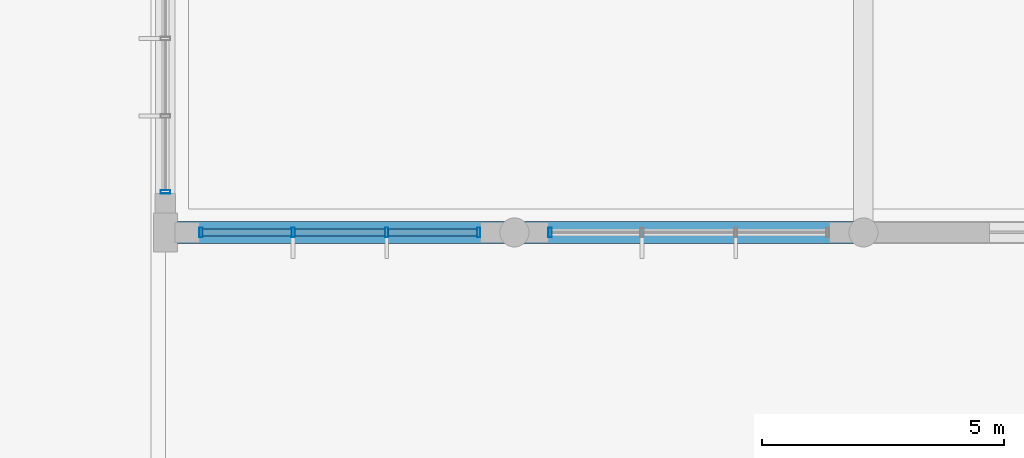
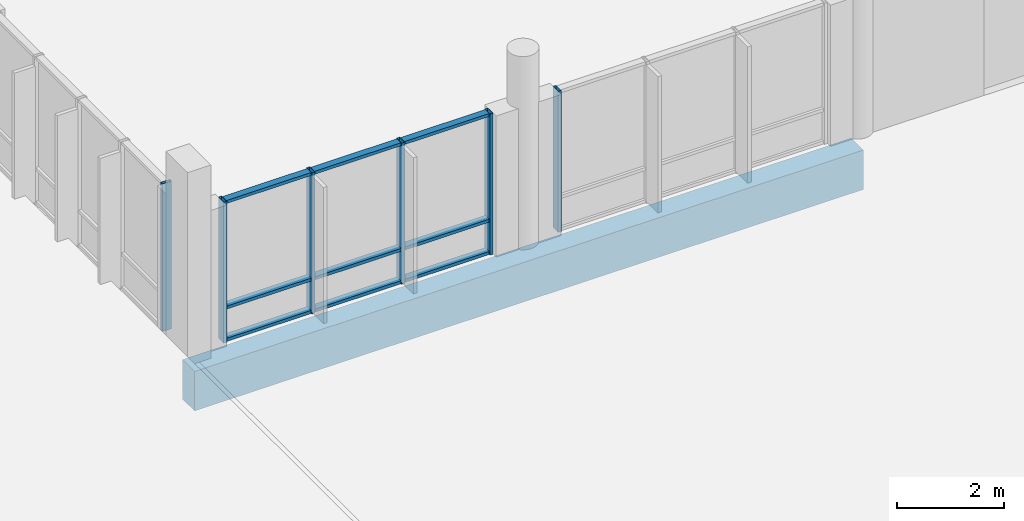
# One storey, part 45 of 233: 15 members, 1 beam, 3 elements without a shape of their own.
"""IFC4 building model written with IfcOpenShell, lengths in metres."""

from ifc_helpers import new_model, si_unit, direction, frame, origin, origin_2d, place, context, subcontext, project, spatial, rectangle, hollow_rectangle, extrude, material, material_profile, profile_set, type_object, element, aggregate, save


model = new_model("IFC4")

# Units and contexts
model_context = context("Model", 3, precision=1e-05, world=origin(), true_north=direction((0.0, 1.0)))
body_context = subcontext(model_context, "Body", "Model", "MODEL_VIEW")
ifc_project = project(units=[si_unit("LENGTHUNIT", "METRE"), si_unit("AREAUNIT", "SQUARE_METRE"), si_unit("VOLUMEUNIT", "CUBIC_METRE"), si_unit("PLANEANGLEUNIT", "RADIAN"), si_unit("MASSUNIT", "GRAM", prefix="KILO")], contexts=[model_context])

# Site, building, storey
site_placement = place(None, origin())
site = spatial("IfcSite", under=ifc_project, at=site_placement, CompositionType="ELEMENT")
building_placement = place(site_placement, origin())
building = spatial("IfcBuilding", under=site, at=building_placement, Name="Zavelmont Quarter", CompositionType="ELEMENT")
storey_placement = place(building_placement, origin())
storey = spatial("IfcBuildingStorey", under=building, at=storey_placement, Name="L00", CompositionType="ELEMENT", Elevation=0.0)

# Beam
ifc_material_1 = material(Name="Concrete C40/50", Category="concrete")
ifc_material_profile_1 = material_profile(ifc_material_1, rectangle(XDim=0.449951171875, YDim=0.89990234375, at=origin_2d()), Name="RC450X900")
ifc_profile_set_1 = profile_set([ifc_material_profile_1], Name="Concrete C40/50")
beam_type = type_object("IfcBeamType", Name="BM06", PredefinedType="BEAM", material=ifc_profile_set_1)
beam_placement = place(storey_placement, frame((55.199951171875, 30.0, -0.77001953125), z_axis=(1.0, 0.0, 0.0), x_axis=(0.0, 1.0, 0.0)))
element("IfcBeam", 1, at=beam_placement, inside=storey, type_object=beam_type, Name="L00 beam BM06 9/F to 11/F", PredefinedType="BEAM", context=body_context, shape_type="SweptSolid", body=[
    extrude(rectangle(XDim=0.449951171875, YDim=0.89990234375, at=origin_2d()), origin(), (0.0, 0.0, 1.0), 14.400146484375),
])

# Curtain wall, member
ifc_material_2 = material(Name="Thermally broken aluminium and double low-E safety glazing", Category="aluminium")
curtain_wall_type_1 = type_object("IfcCurtainWallType", Name="CW-640X336", PredefinedType="NOTDEFINED", material=ifc_material_2)
curtain_wall_1_placement = place(storey_placement, origin())
curtain_wall_1 = element("IfcCurtainWall", 2, at=curtain_wall_1_placement, inside=storey, type_object=curtain_wall_type_1, Name="L00 unitised curtain wall CW-640X336", PredefinedType="NOTDEFINED")
ifc_material_3 = material(Name="Powder-coated aluminium EN AW-6063-T6", Category="aluminium")
ifc_material_profile_2 = material_profile(ifc_material_3, hollow_rectangle(XDim=0.070068359375, YDim=0.199951171875, WallThickness=0.0048828125, at=origin_2d()), Name="CWM70X200")
ifc_profile_set_2 = profile_set([ifc_material_profile_2], Name="Powder-coated aluminium EN AW-6063-T6")
member_type_1 = type_object("IfcMemberType", Name="CWM02", PredefinedType="MULLION", material=ifc_profile_set_2)
member_1_placement = place(storey_placement, frame((55.199951171875, 30.8349609375, 0.0), z_axis=(0.0, 0.0, 1.0), x_axis=(0.0, 1.0, 0.0)))
member_1 = element("IfcMember", 3, at=member_1_placement, type_object=member_type_1, Name="CW-640X336 mullion 1", PredefinedType="MULLION", context=body_context, shape_type="SweptSolid", body=[
    extrude(hollow_rectangle(XDim=0.070068359375, YDim=0.199951171875, WallThickness=0.0048828125, at=origin_2d()), origin(), (0.0, 0.0, 1.0), 3.360107421875),
])
aggregate(curtain_wall_1, [member_1])

# Curtain wall, members
curtain_wall_type_2 = type_object("IfcCurtainWallType", Name="CW-580X321", PredefinedType="NOTDEFINED", material=ifc_material_2)
curtain_wall_2_placement = place(storey_placement, origin())
curtain_wall_2 = element("IfcCurtainWall", 4, at=curtain_wall_2_placement, inside=storey, type_object=curtain_wall_type_2, Name="L00 unitised curtain wall CW-580X321", PredefinedType="NOTDEFINED")
member_2_placement = place(storey_placement, frame((55.93505859375, 30.0, 0.0), z_axis=(0.0, 0.0, 1.0), x_axis=(1.0, 0.0, 0.0)))
member_2 = element("IfcMember", 5, at=member_2_placement, type_object=member_type_1, Name="CW-580X321 mullion 1", PredefinedType="MULLION", context=body_context, shape_type="SweptSolid", body=[
    extrude(hollow_rectangle(XDim=0.070068359375, YDim=0.199951171875, WallThickness=0.0048828125, at=origin_2d()), origin(), (0.0, 0.0, 1.0), 3.2099609375),
])
member_3_placement = place(storey_placement, frame((57.833251953125, 30.0, 0.0), z_axis=(0.0, 0.0, 1.0), x_axis=(1.0, 0.0, 0.0)))
member_3 = element("IfcMember", 6, at=member_3_placement, type_object=member_type_1, Name="CW-580X321 mullion 2", PredefinedType="MULLION", context=body_context, shape_type="SweptSolid", body=[
    extrude(hollow_rectangle(XDim=0.070068359375, YDim=0.199951171875, WallThickness=0.0048828125, at=origin_2d()), origin(), (0.0, 0.0, 1.0), 3.2099609375),
])
member_4_placement = place(storey_placement, frame((59.7666015625, 30.0, 0.0), z_axis=(0.0, 0.0, 1.0), x_axis=(1.0, 0.0, 0.0)))
member_4 = element("IfcMember", 7, at=member_4_placement, type_object=member_type_1, Name="CW-580X321 mullion 3", PredefinedType="MULLION", context=body_context, shape_type="SweptSolid", body=[
    extrude(hollow_rectangle(XDim=0.070068359375, YDim=0.199951171875, WallThickness=0.0048828125, at=origin_2d()), origin(), (0.0, 0.0, 1.0), 3.2099609375),
])
member_5_placement = place(storey_placement, frame((61.6650390625, 30.0, 0.0), z_axis=(0.0, 0.0, 1.0), x_axis=(1.0, 0.0, 0.0)))
member_5 = element("IfcMember", 8, at=member_5_placement, type_object=member_type_1, Name="CW-580X321 mullion 4", PredefinedType="MULLION", context=body_context, shape_type="SweptSolid", body=[
    extrude(hollow_rectangle(XDim=0.070068359375, YDim=0.199951171875, WallThickness=0.0048828125, at=origin_2d()), origin(), (0.0, 0.0, 1.0), 3.2099609375),
])

# Curtain wall, member
curtain_wall_3_placement = place(storey_placement, origin())
curtain_wall_3 = element("IfcCurtainWall", 9, at=curtain_wall_3_placement, inside=storey, type_object=curtain_wall_type_2, Name="L00 unitised curtain wall CW-580X321", PredefinedType="NOTDEFINED")
member_6_placement = place(storey_placement, frame((63.135009765625, 30.0, 0.0), z_axis=(0.0, 0.0, 1.0), x_axis=(1.0, 0.0, 0.0)))
member_6 = element("IfcMember", 10, at=member_6_placement, type_object=member_type_1, Name="CW-580X321 mullion 1", PredefinedType="MULLION", context=body_context, shape_type="SweptSolid", body=[
    extrude(hollow_rectangle(XDim=0.070068359375, YDim=0.199951171875, WallThickness=0.0048828125, at=origin_2d()), origin(), (0.0, 0.0, 1.0), 3.2099609375),
])
aggregate(curtain_wall_3, [member_6])

# Member
ifc_material_profile_3 = material_profile(ifc_material_3, hollow_rectangle(XDim=0.14990234375, YDim=0.070068359375, WallThickness=0.00439453125, at=origin_2d()), Name="CWT70X150")
ifc_profile_set_3 = profile_set([ifc_material_profile_3], Name="Powder-coated aluminium EN AW-6063-T6")
member_type_2 = type_object("IfcMemberType", Name="CWT02", PredefinedType="NOTDEFINED", material=ifc_profile_set_3)
member_7_placement = place(storey_placement, frame((55.969970703125, 30.0, 0.034912109375), z_axis=(1.0, 0.0, 0.0), x_axis=(0.0, 1.0, 0.0)))
member_7 = element("IfcMember", 11, at=member_7_placement, type_object=member_type_2, Name="CW-580X321 transom 1.1", ObjectType="TRANSOM", PredefinedType="USERDEFINED", context=body_context, shape_type="SweptSolid", body=[
    extrude(hollow_rectangle(XDim=0.14990234375, YDim=0.070068359375, WallThickness=0.00439453125, at=origin_2d()), origin(), (0.0, 0.0, 1.0), 1.828369140625),
])

member_8_placement = place(storey_placement, frame((55.969970703125, 30.0, 0.77001953125), z_axis=(1.0, 0.0, 0.0), x_axis=(0.0, 1.0, 0.0)))
member_8 = element("IfcMember", 12, at=member_8_placement, type_object=member_type_2, Name="CW-580X321 transom 1.2", ObjectType="TRANSOM", PredefinedType="USERDEFINED", context=body_context, shape_type="SweptSolid", body=[
    extrude(hollow_rectangle(XDim=0.14990234375, YDim=0.070068359375, WallThickness=0.00439453125, at=origin_2d()), origin(), (0.0, 0.0, 1.0), 1.828369140625),
])

member_9_placement = place(storey_placement, frame((55.969970703125, 30.0, 3.175048828125), z_axis=(1.0, 0.0, 0.0), x_axis=(0.0, 1.0, 0.0)))
member_9 = element("IfcMember", 13, at=member_9_placement, type_object=member_type_2, Name="CW-580X321 transom 1.3", ObjectType="TRANSOM", PredefinedType="USERDEFINED", context=body_context, shape_type="SweptSolid", body=[
    extrude(hollow_rectangle(XDim=0.14990234375, YDim=0.070068359375, WallThickness=0.00439453125, at=origin_2d()), origin(), (0.0, 0.0, 1.0), 1.828369140625),
])

member_10_placement = place(storey_placement, frame((57.868408203125, 30.0, 0.034912109375), z_axis=(1.0, 0.0, 0.0), x_axis=(0.0, 1.0, 0.0)))
member_10 = element("IfcMember", 14, at=member_10_placement, type_object=member_type_2, Name="CW-580X321 transom 2.1", ObjectType="TRANSOM", PredefinedType="USERDEFINED", context=body_context, shape_type="SweptSolid", body=[
    extrude(hollow_rectangle(XDim=0.14990234375, YDim=0.070068359375, WallThickness=0.00439453125, at=origin_2d()), origin(), (0.0, 0.0, 1.0), 1.86328125),
])

member_11_placement = place(storey_placement, frame((57.868408203125, 30.0, 0.77001953125), z_axis=(1.0, 0.0, 0.0), x_axis=(0.0, 1.0, 0.0)))
member_11 = element("IfcMember", 15, at=member_11_placement, type_object=member_type_2, Name="CW-580X321 transom 2.2", ObjectType="TRANSOM", PredefinedType="USERDEFINED", context=body_context, shape_type="SweptSolid", body=[
    extrude(hollow_rectangle(XDim=0.14990234375, YDim=0.070068359375, WallThickness=0.00439453125, at=origin_2d()), origin(), (0.0, 0.0, 1.0), 1.86328125),
])

member_12_placement = place(storey_placement, frame((57.868408203125, 30.0, 3.175048828125), z_axis=(1.0, 0.0, 0.0), x_axis=(0.0, 1.0, 0.0)))
member_12 = element("IfcMember", 16, at=member_12_placement, type_object=member_type_2, Name="CW-580X321 transom 2.3", ObjectType="TRANSOM", PredefinedType="USERDEFINED", context=body_context, shape_type="SweptSolid", body=[
    extrude(hollow_rectangle(XDim=0.14990234375, YDim=0.070068359375, WallThickness=0.00439453125, at=origin_2d()), origin(), (0.0, 0.0, 1.0), 1.86328125),
])

member_13_placement = place(storey_placement, frame((59.8017578125, 30.0, 0.034912109375), z_axis=(1.0, 0.0, 0.0), x_axis=(0.0, 1.0, 0.0)))
member_13 = element("IfcMember", 17, at=member_13_placement, type_object=member_type_2, Name="CW-580X321 transom 3.1", ObjectType="TRANSOM", PredefinedType="USERDEFINED", context=body_context, shape_type="SweptSolid", body=[
    extrude(hollow_rectangle(XDim=0.14990234375, YDim=0.070068359375, WallThickness=0.00439453125, at=origin_2d()), origin(), (0.0, 0.0, 1.0), 1.828125),
])

member_14_placement = place(storey_placement, frame((59.8017578125, 30.0, 0.77001953125), z_axis=(1.0, 0.0, 0.0), x_axis=(0.0, 1.0, 0.0)))
member_14 = element("IfcMember", 18, at=member_14_placement, type_object=member_type_2, Name="CW-580X321 transom 3.2", ObjectType="TRANSOM", PredefinedType="USERDEFINED", context=body_context, shape_type="SweptSolid", body=[
    extrude(hollow_rectangle(XDim=0.14990234375, YDim=0.070068359375, WallThickness=0.00439453125, at=origin_2d()), origin(), (0.0, 0.0, 1.0), 1.828125),
])

member_15_placement = place(storey_placement, frame((59.8017578125, 30.0, 3.175048828125), z_axis=(1.0, 0.0, 0.0), x_axis=(0.0, 1.0, 0.0)))
member_15 = element("IfcMember", 19, at=member_15_placement, type_object=member_type_2, Name="CW-580X321 transom 3.3", ObjectType="TRANSOM", PredefinedType="USERDEFINED", context=body_context, shape_type="SweptSolid", body=[
    extrude(hollow_rectangle(XDim=0.14990234375, YDim=0.070068359375, WallThickness=0.00439453125, at=origin_2d()), origin(), (0.0, 0.0, 1.0), 1.828125),
])

aggregate(curtain_wall_2, [member_2, member_3, member_4, member_5, member_7, member_8, member_9, member_10, member_11, member_12, member_13, member_14, member_15])

save(model, "model.ifc")
